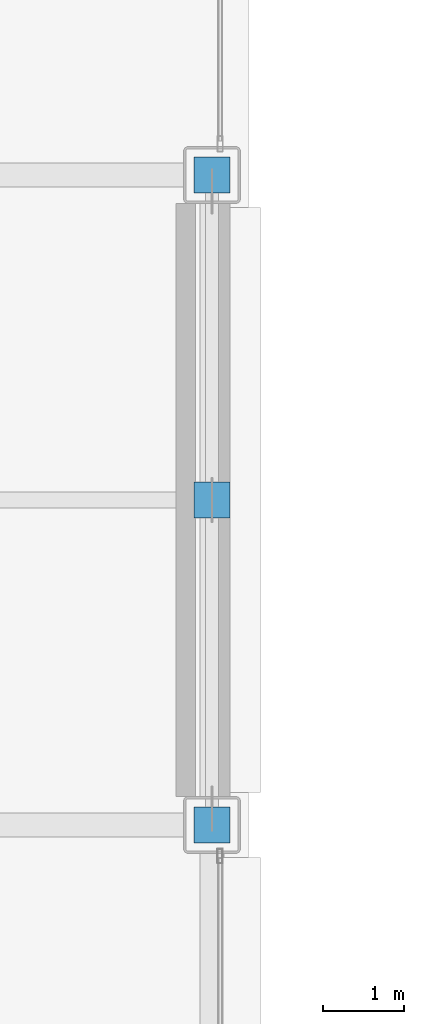
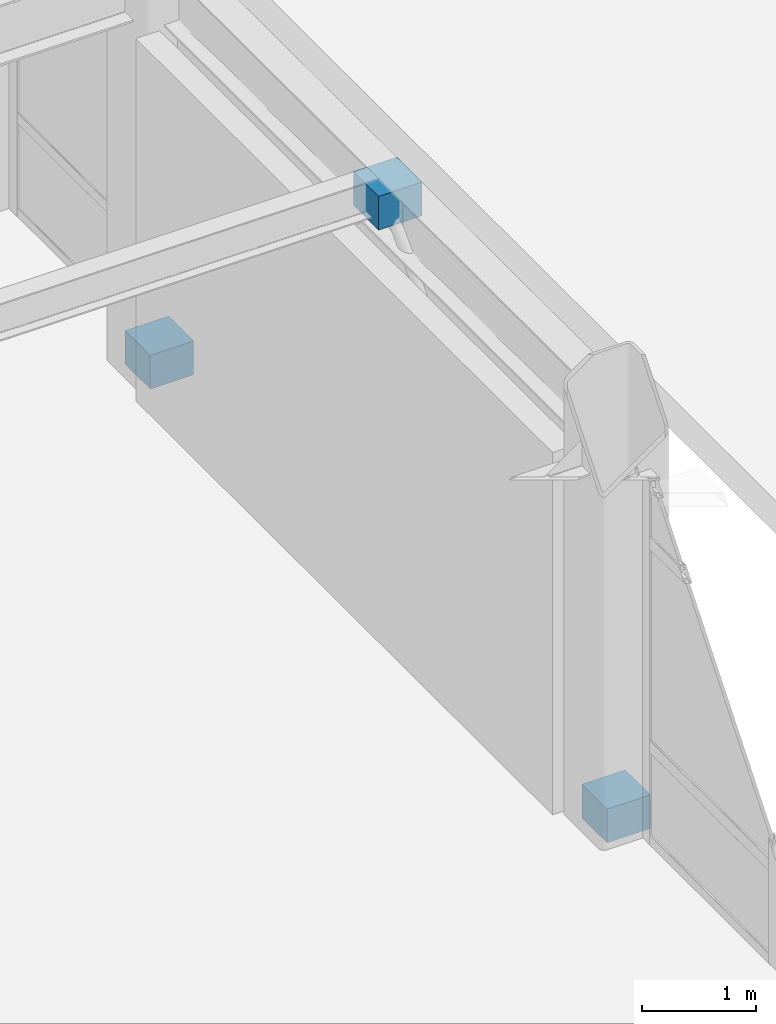
# One storey, part 152 of 172: 3 discrete accessories.
"""IFC4 building model written with IfcOpenShell, lengths in metres."""

from ifc_helpers import new_model, si_unit, direction, frame, origin, origin_2d, place, context, subcontext, project, spatial, rectangle, extrude, material, layer, layer_set, type_object, element, save


model = new_model("IFC4")

# Units and contexts
model_context = context("Model", 3, precision=1e-05, world=origin(), true_north=direction((0.0, 1.0)))
body_context = subcontext(model_context, "Body", "Model", "MODEL_VIEW")
ifc_project = project(units=[si_unit("LENGTHUNIT", "METRE"), si_unit("AREAUNIT", "SQUARE_METRE"), si_unit("VOLUMEUNIT", "CUBIC_METRE"), si_unit("PLANEANGLEUNIT", "RADIAN"), si_unit("MASSUNIT", "GRAM", prefix="KILO")], contexts=[model_context])

# Site, building, storey
site_placement = place(None, origin())
site = spatial("IfcSite", under=ifc_project, at=site_placement, CompositionType="ELEMENT")
building_placement = place(site_placement, origin())
building = spatial("IfcBuilding", under=site, at=building_placement, Name="Kazehara Bluff Congress Hotel", CompositionType="ELEMENT")
storey_placement = place(building_placement, frame((0.0, 0.0, 5.39990234375)))
storey = spatial("IfcBuildingStorey", under=building, at=storey_placement, Name="L01", CompositionType="ELEMENT", Elevation=5.39990234375)

# Discrete accessories
ifc_material = material(Name="Steel SN490B", Category="steel")
ifc_layer = layer(ifc_material, 0.360107421875)
ifc_layer_set = layer_set([ifc_layer], Name="Steel SN490B")
discrete_accessory_type = type_object("IfcDiscreteAccessoryType", Name="TP-CAP-BRN", PredefinedType="BRACKET", material=ifc_layer_set)
for number, where, z_axis, x_axis, name in (
    (1, (167.550048828125, 12.0, 4.09521484375), (0.0, 0.0, 1.0), (1.0, 0.0, 0.0), "Chevron apex node L01 1"),
    (2, (167.550048828125, 8.0, -0.02978515625), (0.0, 0.0, 1.0), (1.0, 0.0, 0.0), "Chevron foot node L01 1A"),
    (3, (167.550048828125, 16.0, -0.02978515625), (0.0, 0.0, 1.0), (1.0, 0.0, 0.0), "Chevron foot node L01 1B"),
):
    element("IfcDiscreteAccessory", number, at=place(storey_placement, frame(where, z_axis=z_axis, x_axis=x_axis)), inside=storey, type_object=discrete_accessory_type, Name=name, PredefinedType="BRACKET", context=body_context, shape_type="SweptSolid", body=[
        extrude(rectangle(XDim=0.43994140625, YDim=0.43994140625, at=origin_2d()), origin(), (0.0, 0.0, 1.0), 0.360107421875),
    ])

save(model, "model.ifc")
